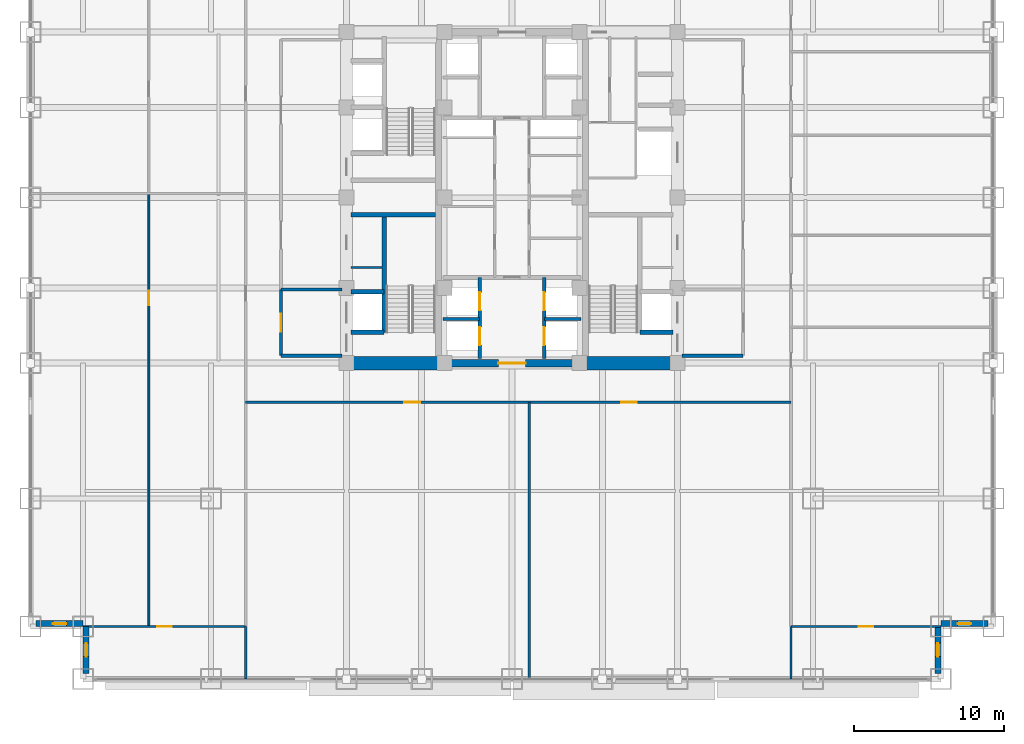
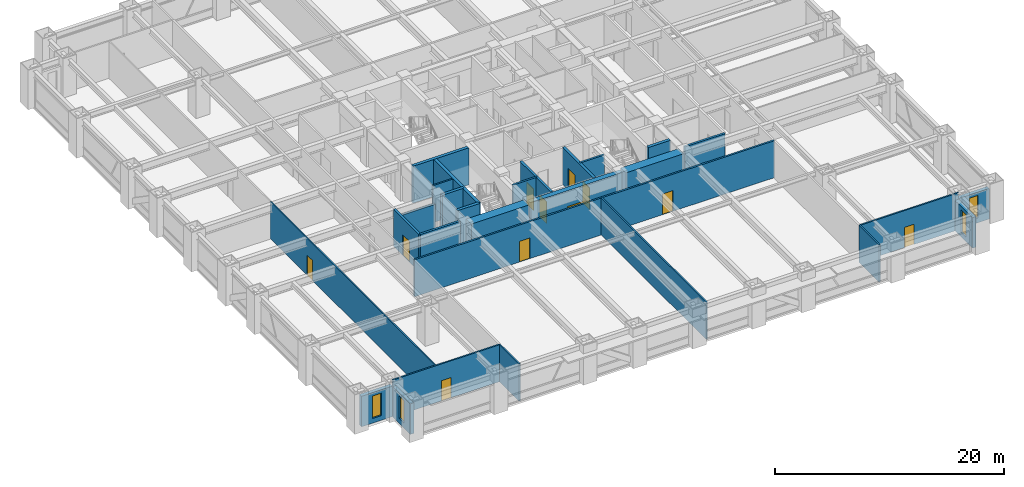
# One storey, part 23 of 32: 28 walls, 11 doors, 4 windows, 15 openings.
"""IFC4 building model written with IfcOpenShell, lengths in metres."""

from ifc_helpers import new_model, si_unit, direction, frame, frame_2d, origin, place, context, subcontext, project, spatial, rectangle, extrude, source, transform, mapped, material, layer, layer_set, type_object, element, fill, save


model = new_model("IFC4")

# Units and contexts
model_context = context("Model", 3, precision=1e-05, world=origin(), true_north=direction((0.0, 1.0)))
body_context = subcontext(model_context, "Body", "Model", "MODEL_VIEW")
ifc_project = project(units=[si_unit("LENGTHUNIT", "METRE"), si_unit("AREAUNIT", "SQUARE_METRE"), si_unit("VOLUMEUNIT", "CUBIC_METRE"), si_unit("PLANEANGLEUNIT", "RADIAN"), si_unit("MASSUNIT", "GRAM", prefix="KILO")], contexts=[model_context])

# Site, building, storey
site_placement = place(None, origin())
site = spatial("IfcSite", under=ifc_project, at=site_placement, CompositionType="ELEMENT")
building_placement = place(site_placement, origin())
building = spatial("IfcBuilding", under=site, at=building_placement, Name="Khorayat Bourse Tower", CompositionType="ELEMENT")
storey_placement = place(building_placement, frame((0.0, 0.0, 78.800048828125)))
storey = spatial("IfcBuildingStorey", under=building, at=storey_placement, Name="L17", CompositionType="ELEMENT", Elevation=78.800048828125)

# Walls
ifc_material_1 = material(Name="Concrete C72/90", Category="concrete")
ifc_layer_1 = layer(ifc_material_1, 0.89990234375)
ifc_layer_set_1 = layer_set([ifc_layer_1], Name="Concrete C72/90")
wall_type_1 = type_object("IfcWallType", Name="WAL-CORE-900", PredefinedType="SHEAR", material=ifc_layer_set_1)
shared_shape_1 = source(origin(), body_context, "Body", "SweptSolid", [
    extrude(rectangle(XDim=5.849853515625, YDim=0.89990234375, at=frame_2d((2.9248046875, 0.0))), origin(), (0.0, 0.0, 1.0), 3.93994140625),
])
for number, where, z_axis, x_axis, name in (
    (1, (-10.699951171875, -11.0, 0.0), (0.0, 0.0, 1.0), (1.0, 0.0, 0.0), "L17 Core Shear Wall PIER-WS"),
    (2, (4.85009765625, -11.0, 0.0), (0.0, 0.0, 1.0), (1.0, 0.0, 0.0), "L17 Core Shear Wall PIER-ES"),
):
    element("IfcWall", number, at=place(storey_placement, frame(where, z_axis=z_axis, x_axis=x_axis)), inside=storey, type_object=wall_type_1, Name=name, PredefinedType="SHEAR", context=body_context, shape_type="MappedRepresentation", body=[
        mapped(shared_shape_1, transform((0.0, 0.0, 0.0), scale=1.0)),
    ])
ifc_material_2 = material(Name="Concrete C50/60", Category="concrete")
ifc_layer_2 = layer(ifc_material_2, 0.300048828125)
ifc_layer_set_2 = layer_set([ifc_layer_2], Name="Concrete C50/60")
wall_type_2 = type_object("IfcWallType", Name="WAL-SHAFT-300", PredefinedType="SHEAR", material=ifc_layer_set_2)
shared_shape_2 = source(origin(), body_context, "Body", "SweptSolid", [
    extrude(rectangle(XDim=5.599853515625, YDim=0.300048828125, at=frame_2d((2.7998046875, 0.0))), origin(), (0.0, 0.0, 1.0), 3.93994140625),
])
wall_1_placement = place(storey_placement, frame((-10.699951171875, -1.14990234375, 0.0), z_axis=(0.0, 0.0, 1.0), x_axis=(1.0, 0.0, 0.0)))
element("IfcWall", 3, at=wall_1_placement, inside=storey, type_object=wall_type_2, Name="L17 Core Shear Wall ST1-DIV", PredefinedType="SHEAR", context=body_context, shape_type="MappedRepresentation", body=[
    mapped(shared_shape_2, transform((0.0, 0.0, 0.0), scale=1.0)),
])

# Wall, opening, door
ifc_material_3 = material(Name="Concrete C52/65", Category="concrete")
ifc_layer_3 = layer(ifc_material_3, 0.5)
ifc_layer_set_3 = layer_set([ifc_layer_3], Name="Concrete C52/65")
wall_type_3 = type_object("IfcWallType", Name="WAL-CORE-500", PredefinedType="SHEAR", material=ifc_layer_set_3)
shared_shape_3 = source(origin(), body_context, "Body", "SweptSolid", [
    extrude(rectangle(XDim=9.2001953125, YDim=0.5, at=frame_2d((4.60009765625, 0.0))), origin(), (0.0, 0.0, 1.0), 3.93994140625),
])
wall_2_placement = place(storey_placement, frame((-4.60009765625, -11.0, 0.0), z_axis=(0.0, 0.0, 1.0), x_axis=(1.0, 0.0, 0.0)))
wall_2 = element("IfcWall", 4, at=wall_2_placement, inside=storey, type_object=wall_type_3, Name="L17 Core Shear Wall CORE-S", PredefinedType="SHEAR", context=body_context, shape_type="MappedRepresentation", body=[
    mapped(shared_shape_3, transform((0.0, 0.0, 0.0), scale=1.0)),
])
shared_shape_4 = source(origin(), body_context, "Body", "SweptSolid", [
    extrude(rectangle(XDim=1.800048828125, YDim=2.25, at=frame_2d((0.89990234375, 1.125))), frame((0.0, 0.260009765625, 0.0), z_axis=(0.0, -1.0, 0.0), x_axis=(1.0, 0.0, 0.0)), (0.0, 0.0, 1.0), 0.52001953125),
])
opening_1_placement = place(wall_2_placement, frame((3.699951171875, 0.0, 0.0)))
opening_1 = element("IfcOpeningElement", 5, at=opening_1_placement, cuts=wall_2, Name="Opening DI-03", PredefinedType="OPENING", context=body_context, shape_type="MappedRepresentation", body=[
    mapped(shared_shape_4, transform((0.0, 0.0, 0.0), scale=1.0)),
])
ifc_material_4 = material(Name="Fire-rated hardwood vision-panel double leaf", Category="wood")
door_type_1 = type_object("IfcDoorType", Name="DR-INT-CORR-1800", OperationType="NOTDEFINED", PredefinedType="DOOR", material=ifc_material_4)
shared_shape_5 = source(origin(), body_context, "Body", "SweptSolid", [
    extrude(rectangle(XDim=1.800048828125, YDim=2.25, at=frame_2d((0.89990234375, 1.125))), frame((0.0, 0.02490234375, 0.0), z_axis=(0.0, -1.0, 0.0), x_axis=(1.0, 0.0, 0.0)), (0.0, 0.0, 1.0), 0.050048828125),
])
door_1_placement = place(opening_1_placement, origin())
door_1 = element("IfcDoor", 6, at=door_1_placement, inside=storey, type_object=door_type_1, Name="L17 Low-Rise Lift Lobby Door", OperationType="SINGLE_SWING_LEFT", OverallHeight=2.25, OverallWidth=1.800048828125, PredefinedType="DOOR", context=body_context, shape_type="MappedRepresentation", body=[
    mapped(shared_shape_5, transform((0.0, 0.0, 0.0), scale=1.0)),
])
fill(opening_1, door_1)

# Wall, opening, window
ifc_material_5 = material(Name="Precast concrete C45/55", Category="concrete")
ifc_layer_4 = layer(ifc_material_5, 0.3798828125)
ifc_layer_set_4 = layer_set([ifc_layer_4], Name="Precast concrete C45/55")
wall_type_4 = type_object("IfcWallType", Name="WAL-EXT-STONE-380", PredefinedType="STANDARD", material=ifc_layer_set_4)
shared_shape_6 = source(origin(), body_context, "Body", "SweptSolid", [
    extrude(rectangle(XDim=3.1201171875, YDim=0.3798828125, at=frame_2d((1.56005859375, 0.0))), origin(), (0.0, 0.0, 1.0), 3.244873046875),
])
wall_3_placement = place(storey_placement, frame((-28.5, -28.31005859375, 0.0), z_axis=(0.0, 0.0, 1.0), x_axis=(-1.0, 0.0, 0.0)))
wall_3 = element("IfcWall", 7, at=wall_3_placement, inside=storey, type_object=wall_type_4, Name="L17 Re-Entrant Notch Limestone Wall SW-H", PredefinedType="STANDARD", context=body_context, shape_type="MappedRepresentation", body=[
    mapped(shared_shape_6, transform((0.0, 0.0, 0.0), scale=1.0)),
])
shared_shape_7 = source(origin(), body_context, "Body", "SweptSolid", [
    extrude(rectangle(XDim=0.89990234375, YDim=2.39990234375, at=frame_2d((0.449951171875, 1.199951171875))), frame((0.0, 0.199951171875, 0.0), z_axis=(0.0, -1.0, 0.0), x_axis=(1.0, 0.0, 0.0)), (0.0, 0.0, 1.0), 0.39990234375),
])
opening_2_placement = place(wall_3_placement, frame((1.110107421875, 0.0, 0.5)))
opening_2 = element("IfcOpeningElement", 8, at=opening_2_placement, cuts=wall_3, Name="Opening WN-03", PredefinedType="OPENING", context=body_context, shape_type="MappedRepresentation", body=[
    mapped(shared_shape_7, transform((0.0, 0.0, 0.0), scale=1.0)),
])
ifc_material_6 = material(Name="Deep-reveal solar-control double glazing", Category="glass")
window_type = type_object("IfcWindowType", Name="WIN-SLOT-900x2400", PartitioningType="SINGLE_PANEL", PredefinedType="WINDOW", material=ifc_material_6)
shared_shape_8 = source(origin(), body_context, "Body", "SweptSolid", [
    extrude(rectangle(XDim=0.89990234375, YDim=2.39990234375, at=frame_2d((0.449951171875, 1.199951171875))), frame((0.0, 0.030029296875, 0.0), z_axis=(0.0, -1.0, 0.0), x_axis=(1.0, 0.0, 0.0)), (0.0, 0.0, 1.0), 0.06005859375),
])
window_1_placement = place(opening_2_placement, origin())
window_1 = element("IfcWindow", 9, at=window_1_placement, inside=storey, type_object=window_type, Name="L17 Facade Window 1", OverallHeight=2.39990234375, OverallWidth=0.89990234375, PartitioningType="SINGLE_PANEL", PredefinedType="WINDOW", context=body_context, shape_type="MappedRepresentation", body=[
    mapped(shared_shape_8, transform((0.0, 0.0, 0.0), scale=1.0)),
])
fill(opening_2, window_1)

wall_4_placement = place(storey_placement, frame((-28.31005859375, -31.6201171875, 0.0), z_axis=(0.0, 0.0, 1.0), x_axis=(0.0, 1.0, 0.0)))
wall_4 = element("IfcWall", 10, at=wall_4_placement, inside=storey, type_object=wall_type_4, Name="L17 Re-Entrant Notch Limestone Wall SW-V", PredefinedType="STANDARD", context=body_context, shape_type="MappedRepresentation", body=[
    mapped(shared_shape_6, transform((0.0, 0.0, 0.0), scale=1.0)),
])
opening_3_placement = place(wall_4_placement, frame((1.110107421875, 0.0, 0.5)))
opening_3 = element("IfcOpeningElement", 11, at=opening_3_placement, cuts=wall_4, Name="Opening WN-03", PredefinedType="OPENING", context=body_context, shape_type="MappedRepresentation", body=[
    mapped(shared_shape_7, transform((0.0, 0.0, 0.0), scale=1.0)),
])
window_2_placement = place(opening_3_placement, origin())
window_2 = element("IfcWindow", 12, at=window_2_placement, inside=storey, type_object=window_type, Name="L17 Facade Window 1", OverallHeight=2.39990234375, OverallWidth=0.89990234375, PartitioningType="SINGLE_PANEL", PredefinedType="WINDOW", context=body_context, shape_type="MappedRepresentation", body=[
    mapped(shared_shape_8, transform((0.0, 0.0, 0.0), scale=1.0)),
])
fill(opening_3, window_2)

wall_5_placement = place(storey_placement, frame((28.31005859375, -31.6201171875, 0.0), z_axis=(0.0, 0.0, 1.0), x_axis=(0.0, 1.0, 0.0)))
wall_5 = element("IfcWall", 13, at=wall_5_placement, inside=storey, type_object=wall_type_4, Name="L17 Re-Entrant Notch Limestone Wall SE-V", PredefinedType="STANDARD", context=body_context, shape_type="MappedRepresentation", body=[
    mapped(shared_shape_6, transform((0.0, 0.0, 0.0), scale=1.0)),
])
opening_4_placement = place(wall_5_placement, frame((1.110107421875, 0.0, 0.5)))
opening_4 = element("IfcOpeningElement", 14, at=opening_4_placement, cuts=wall_5, Name="Opening WN-03", PredefinedType="OPENING", context=body_context, shape_type="MappedRepresentation", body=[
    mapped(shared_shape_7, transform((0.0, 0.0, 0.0), scale=1.0)),
])
window_3_placement = place(opening_4_placement, origin())
window_3 = element("IfcWindow", 15, at=window_3_placement, inside=storey, type_object=window_type, Name="L17 Facade Window 1", OverallHeight=2.39990234375, OverallWidth=0.89990234375, PartitioningType="SINGLE_PANEL", PredefinedType="WINDOW", context=body_context, shape_type="MappedRepresentation", body=[
    mapped(shared_shape_8, transform((0.0, 0.0, 0.0), scale=1.0)),
])
fill(opening_4, window_3)

wall_6_placement = place(storey_placement, frame((28.5, -28.31005859375, 0.0), z_axis=(0.0, 0.0, 1.0), x_axis=(1.0, 0.0, 0.0)))
wall_6 = element("IfcWall", 16, at=wall_6_placement, inside=storey, type_object=wall_type_4, Name="L17 Re-Entrant Notch Limestone Wall SE-H", PredefinedType="STANDARD", context=body_context, shape_type="MappedRepresentation", body=[
    mapped(shared_shape_6, transform((0.0, 0.0, 0.0), scale=1.0)),
])
opening_5_placement = place(wall_6_placement, frame((1.110107421875, 0.0, 0.5)))
opening_5 = element("IfcOpeningElement", 17, at=opening_5_placement, cuts=wall_6, Name="Opening WN-03", PredefinedType="OPENING", context=body_context, shape_type="MappedRepresentation", body=[
    mapped(shared_shape_7, transform((0.0, 0.0, 0.0), scale=1.0)),
])
window_4_placement = place(opening_5_placement, origin())
window_4 = element("IfcWindow", 18, at=window_4_placement, inside=storey, type_object=window_type, Name="L17 Facade Window 1", OverallHeight=2.39990234375, OverallWidth=0.89990234375, PartitioningType="SINGLE_PANEL", PredefinedType="WINDOW", context=body_context, shape_type="MappedRepresentation", body=[
    mapped(shared_shape_8, transform((0.0, 0.0, 0.0), scale=1.0)),
])
fill(opening_5, window_4)

# Walls
shared_shape_9 = source(origin(), body_context, "Body", "SweptSolid", [
    extrude(rectangle(XDim=7.800048828125, YDim=0.300048828125, at=frame_2d((3.89990234375, 0.0))), origin(), (0.0, 0.0, 1.0), 3.93994140625),
])
wall_7_placement = place(storey_placement, frame((-8.5, -8.949951171875, 0.0), z_axis=(0.0, 0.0, 1.0), x_axis=(0.0, 1.0, 0.0)))
element("IfcWall", 19, at=wall_7_placement, inside=storey, type_object=wall_type_2, Name="L17 Partition WAL-L17-WPIER-SP", PredefinedType="SHEAR", context=body_context, shape_type="MappedRepresentation", body=[
    mapped(shared_shape_9, transform((0.0, 0.0, 0.0), scale=1.0)),
])
shared_shape_10 = source(origin(), body_context, "Body", "SweptSolid", [
    extrude(rectangle(XDim=2.199951171875, YDim=0.300048828125, at=frame_2d((1.10009765625, 0.0))), origin(), (0.0, 0.0, 1.0), 3.93994140625),
])
for number, where, z_axis, x_axis, name in (
    (20, (-10.699951171875, -8.949951171875, 0.0), (0.0, 0.0, 1.0), (1.0, 0.0, 0.0), "L17 Partition WAL-L17-WPIER-FF1S"),
    (21, (-10.699951171875, -6.25, 0.0), (0.0, 0.0, 1.0), (1.0, 0.0, 0.0), "L17 Partition WAL-L17-WPIER-FF1N"),
    (22, (8.5, -8.949951171875, 0.0), (0.0, 0.0, 1.0), (1.0, 0.0, 0.0), "L17 Partition WAL-L17-EPIER-FF2S"),
):
    element("IfcWall", number, at=place(storey_placement, frame(where, z_axis=z_axis, x_axis=x_axis)), inside=storey, type_object=wall_type_2, Name=name, PredefinedType="SHEAR", context=body_context, shape_type="MappedRepresentation", body=[
        mapped(shared_shape_10, transform((0.0, 0.0, 0.0), scale=1.0)),
    ])
ifc_material_7 = material(Name="Gypsum plasterboard twin-frame partition")
ifc_layer_5 = layer(ifc_material_7, 0.14990234375)
ifc_layer_set_5 = layer_set([ifc_layer_5], Name="Gypsum plasterboard twin-frame partition")
wall_type_5 = type_object("IfcWallType", Name="WAL-PART-SUITE-150", PredefinedType="PARTITIONING", material=ifc_layer_set_5)
shared_shape_11 = source(origin(), body_context, "Body", "SweptSolid", [
    extrude(rectangle(XDim=2.050048828125, YDim=0.14990234375, at=frame_2d((1.02490234375, 0.0))), origin(), (0.0, 0.0, 1.0), 3.93994140625),
])
wall_8_placement = place(storey_placement, frame((-10.699951171875, -4.64990234375, 0.0), z_axis=(0.0, 0.0, 1.0), x_axis=(1.0, 0.0, 0.0)))
element("IfcWall", 23, at=wall_8_placement, inside=storey, type_object=wall_type_5, Name="L17 Partition WAL-L17-WSRV-S0", PredefinedType="PARTITIONING", context=body_context, shape_type="MappedRepresentation", body=[
    mapped(shared_shape_11, transform((0.0, 0.0, 0.0), scale=1.0)),
])
ifc_material_8 = material(Name="Aerated concrete blockwork", Category="masonry")
ifc_layer_6 = layer(ifc_material_8, 0.219970703125)
ifc_layer_set_6 = layer_set([ifc_layer_6], Name="Aerated concrete blockwork")
wall_type_6 = type_object("IfcWallType", Name="WAL-PART-FF-220", PredefinedType="PARTITIONING", material=ifc_layer_set_6)
shared_shape_12 = source(origin(), body_context, "Body", "SweptSolid", [
    extrude(rectangle(XDim=4.050048828125, YDim=0.219970703125, at=frame_2d((2.02490234375, 0.0))), origin(), (0.0, 0.0, 1.0), 3.93994140625),
])
for number, where, z_axis, x_axis, name in (
    (24, (-15.35009765625, -10.5, 0.0), (0.0, 0.0, 1.0), (1.0, 0.0, 0.0), "L17 Partition WAL-L17-FFLW-S"),
    (25, (11.300048828125, -10.5, 0.0), (0.0, 0.0, 1.0), (1.0, 0.0, 0.0), "L17 Partition WAL-L17-FFLE-S"),
):
    element("IfcWall", number, at=place(storey_placement, frame(where, z_axis=z_axis, x_axis=x_axis)), inside=storey, type_object=wall_type_6, Name=name, PredefinedType="PARTITIONING", context=body_context, shape_type="MappedRepresentation", body=[
        mapped(shared_shape_12, transform((0.0, 0.0, 0.0), scale=1.0)),
    ])
shared_shape_13 = source(origin(), body_context, "Body", "SweptSolid", [
    extrude(rectangle(XDim=4.050048828125, YDim=0.219970703125, at=frame_2d((2.02490234375, 0.0))), origin(), (0.0, 0.0, 1.0), 3.0849609375),
])
wall_9_placement = place(storey_placement, frame((-15.35009765625, -6.10009765625, 0.0), z_axis=(0.0, 0.0, 1.0), x_axis=(1.0, 0.0, 0.0)))
element("IfcWall", 26, at=wall_9_placement, inside=storey, type_object=wall_type_6, Name="L17 Partition WAL-L17-FFLW-N", PredefinedType="PARTITIONING", context=body_context, shape_type="MappedRepresentation", body=[
    mapped(shared_shape_13, transform((0.0, 0.0, 0.0), scale=1.0)),
])

# Wall, opening, door
shared_shape_14 = source(origin(), body_context, "Body", "SweptSolid", [
    extrude(rectangle(XDim=4.39990234375, YDim=0.219970703125, at=frame_2d((2.199951171875, 0.0))), origin(), (0.0, 0.0, 1.0), 3.93994140625),
])
wall_10_placement = place(storey_placement, frame((-15.35009765625, -10.5, 0.0), z_axis=(0.0, 0.0, 1.0), x_axis=(0.0, 1.0, 0.0)))
wall_10 = element("IfcWall", 27, at=wall_10_placement, inside=storey, type_object=wall_type_6, Name="L17 Partition WAL-L17-FFLW-W", PredefinedType="PARTITIONING", context=body_context, shape_type="MappedRepresentation", body=[
    mapped(shared_shape_14, transform((0.0, 0.0, 0.0), scale=1.0)),
])
shared_shape_15 = source(origin(), body_context, "Body", "SweptSolid", [
    extrude(rectangle(XDim=1.199951171875, YDim=2.199951171875, at=frame_2d((0.60009765625, 1.10009765625))), frame((0.0, 0.119873046875, 0.0), z_axis=(0.0, -1.0, 0.0), x_axis=(1.0, 0.0, 0.0)), (0.0, 0.0, 1.0), 0.239990234375),
])
opening_6_placement = place(wall_10_placement, frame((1.60009765625, 0.0, 0.0)))
opening_6 = element("IfcOpeningElement", 28, at=opening_6_placement, cuts=wall_10, Name="Opening DI-02", PredefinedType="OPENING", context=body_context, shape_type="MappedRepresentation", body=[
    mapped(shared_shape_15, transform((0.0, 0.0, 0.0), scale=1.0)),
])
ifc_material_9 = material(Name="Fire-rated steel double-seal leaf", Category="steel")
door_type_2 = type_object("IfcDoorType", Name="DR-INT-FFLOBBY-1200", OperationType="NOTDEFINED", PredefinedType="DOOR", material=ifc_material_9)
shared_shape_16 = source(origin(), body_context, "Body", "SweptSolid", [
    extrude(rectangle(XDim=1.199951171875, YDim=2.199951171875, at=frame_2d((0.60009765625, 1.10009765625))), frame((0.0, 0.02490234375, 0.0), z_axis=(0.0, -1.0, 0.0), x_axis=(1.0, 0.0, 0.0)), (0.0, 0.0, 1.0), 0.050048828125),
])
door_2_placement = place(opening_6_placement, origin())
door_2 = element("IfcDoor", 29, at=door_2_placement, inside=storey, type_object=door_type_2, Name="L17 West Firefighting Lobby Door", OperationType="SINGLE_SWING_LEFT", OverallHeight=2.199951171875, OverallWidth=1.199951171875, PredefinedType="DOOR", context=body_context, shape_type="MappedRepresentation", body=[
    mapped(shared_shape_16, transform((0.0, 0.0, 0.0), scale=1.0)),
])
fill(opening_6, door_2)

# Wall, openings, doors
shared_shape_17 = source(origin(), body_context, "Body", "SweptSolid", [
    extrude(rectangle(XDim=5.39990234375, YDim=0.25, at=frame_2d((2.699951171875, 0.0))), origin(), (0.0, 0.0, 1.0), 3.93994140625),
])
wall_11_placement = place(storey_placement, frame((-2.14990234375, -10.699951171875, 0.0), z_axis=(0.0, 0.0, 1.0), x_axis=(0.0, 1.0, 0.0)))
wall_11 = element("IfcWall", 30, at=wall_11_placement, inside=storey, type_object=wall_type_2, Name="L17 Partition WAL-L17-B1-W", PredefinedType="SHEAR", context=body_context, shape_type="MappedRepresentation", body=[
    mapped(shared_shape_17, transform((0.0, 0.0, 0.0), scale=1.0)),
])
shared_shape_18 = source(origin(), body_context, "Body", "SweptSolid", [
    extrude(rectangle(XDim=1.199951171875, YDim=2.300048828125, at=frame_2d((0.60009765625, 1.14990234375))), frame((0.0, 0.135009765625, 0.0), z_axis=(0.0, -1.0, 0.0), x_axis=(1.0, 0.0, 0.0)), (0.0, 0.0, 1.0), 0.27001953125),
])
opening_7_placement = place(wall_11_placement, frame((0.89990234375, 0.0, 0.0)))
opening_7 = element("IfcOpeningElement", 31, at=opening_7_placement, cuts=wall_11, Name="Opening LD-01", PredefinedType="OPENING", context=body_context, shape_type="MappedRepresentation", body=[
    mapped(shared_shape_18, transform((0.0, 0.0, 0.0), scale=1.0)),
])
opening_8_placement = place(wall_11_placement, frame((3.199951171875, 0.0, 0.0)))
opening_8 = element("IfcOpeningElement", 32, at=opening_8_placement, cuts=wall_11, Name="Opening LD-01", PredefinedType="OPENING", context=body_context, shape_type="MappedRepresentation", body=[
    mapped(shared_shape_18, transform((0.0, 0.0, 0.0), scale=1.0)),
])
ifc_material_10 = material(Name="Brushed bronze stainless-steel sliding door", Category="steel")
door_type_3 = type_object("IfcDoorType", Name="DR-LIFT-PASS-1200", OperationType="NOTDEFINED", PredefinedType="DOOR", material=ifc_material_10)
shared_shape_19 = source(origin(), body_context, "Body", "SweptSolid", [
    extrude(rectangle(XDim=1.199951171875, YDim=2.300048828125, at=frame_2d((0.60009765625, 1.14990234375))), frame((0.0, 0.02490234375, 0.0), z_axis=(0.0, -1.0, 0.0), x_axis=(1.0, 0.0, 0.0)), (0.0, 0.0, 1.0), 0.050048828125),
])
door_3_placement = place(opening_7_placement, origin())
door_3 = element("IfcDoor", 33, at=door_3_placement, inside=storey, type_object=door_type_3, Name="L17 Lift PL-L1 Sliding Landing Door", OperationType="SLIDING_TO_LEFT", OverallHeight=2.300048828125, OverallWidth=1.199951171875, PredefinedType="DOOR", context=body_context, shape_type="MappedRepresentation", body=[
    mapped(shared_shape_19, transform((0.0, 0.0, 0.0), scale=1.0)),
])
fill(opening_7, door_3)
door_4_placement = place(opening_8_placement, origin())
door_4 = element("IfcDoor", 34, at=door_4_placement, inside=storey, type_object=door_type_3, Name="L17 Lift PL-L3 Sliding Landing Door", OperationType="SLIDING_TO_LEFT", OverallHeight=2.300048828125, OverallWidth=1.199951171875, PredefinedType="DOOR", context=body_context, shape_type="MappedRepresentation", body=[
    mapped(shared_shape_19, transform((0.0, 0.0, 0.0), scale=1.0)),
])
fill(opening_8, door_4)

wall_12_placement = place(storey_placement, frame((2.14990234375, -10.699951171875, 0.0), z_axis=(0.0, 0.0, 1.0), x_axis=(0.0, 1.0, 0.0)))
wall_12 = element("IfcWall", 35, at=wall_12_placement, inside=storey, type_object=wall_type_2, Name="L17 Partition WAL-L17-B1-E", PredefinedType="SHEAR", context=body_context, shape_type="MappedRepresentation", body=[
    mapped(shared_shape_17, transform((0.0, 0.0, 0.0), scale=1.0)),
])
opening_9_placement = place(wall_12_placement, frame((0.89990234375, 0.0, 0.0)))
opening_9 = element("IfcOpeningElement", 36, at=opening_9_placement, cuts=wall_12, Name="Opening LD-01", PredefinedType="OPENING", context=body_context, shape_type="MappedRepresentation", body=[
    mapped(shared_shape_18, transform((0.0, 0.0, 0.0), scale=1.0)),
])
opening_10_placement = place(wall_12_placement, frame((3.199951171875, 0.0, 0.0)))
opening_10 = element("IfcOpeningElement", 37, at=opening_10_placement, cuts=wall_12, Name="Opening LD-01", PredefinedType="OPENING", context=body_context, shape_type="MappedRepresentation", body=[
    mapped(shared_shape_18, transform((0.0, 0.0, 0.0), scale=1.0)),
])
door_5_placement = place(opening_9_placement, origin())
door_5 = element("IfcDoor", 38, at=door_5_placement, inside=storey, type_object=door_type_3, Name="L17 Lift PL-L2 Sliding Landing Door", OperationType="SLIDING_TO_LEFT", OverallHeight=2.300048828125, OverallWidth=1.199951171875, PredefinedType="DOOR", context=body_context, shape_type="MappedRepresentation", body=[
    mapped(shared_shape_19, transform((0.0, 0.0, 0.0), scale=1.0)),
])
fill(opening_9, door_5)
door_6_placement = place(opening_10_placement, origin())
door_6 = element("IfcDoor", 39, at=door_6_placement, inside=storey, type_object=door_type_3, Name="L17 Lift PL-L4 Sliding Landing Door", OperationType="SLIDING_TO_LEFT", OverallHeight=2.300048828125, OverallWidth=1.199951171875, PredefinedType="DOOR", context=body_context, shape_type="MappedRepresentation", body=[
    mapped(shared_shape_19, transform((0.0, 0.0, 0.0), scale=1.0)),
])
fill(opening_10, door_6)

# Walls
shared_shape_20 = source(origin(), body_context, "Body", "SweptSolid", [
    extrude(rectangle(XDim=2.4501953125, YDim=0.199951171875, at=frame_2d((1.22509765625, 0.0))), origin(), (0.0, 0.0, 1.0), 3.93994140625),
])
for number, where, z_axis, x_axis, name in (
    (40, (-4.60009765625, -8.050048828125, 0.0), (0.0, 0.0, 1.0), (1.0, 0.0, 0.0), "L17 Partition WAL-L17-B1-MW"),
    (41, (2.14990234375, -8.050048828125, 0.0), (0.0, 0.0, 1.0), (1.0, 0.0, 0.0), "L17 Partition WAL-L17-B1-ME"),
):
    element("IfcWall", number, at=place(storey_placement, frame(where, z_axis=z_axis, x_axis=x_axis)), inside=storey, type_object=wall_type_2, Name=name, PredefinedType="SHEAR", context=body_context, shape_type="MappedRepresentation", body=[
        mapped(shared_shape_20, transform((0.0, 0.0, 0.0), scale=1.0)),
    ])

# Wall, openings, doors
ifc_material_11 = material(Name="Gypsum plasterboard acoustic stud wall")
ifc_layer_7 = layer(ifc_material_11, 0.179931640625)
ifc_layer_set_7 = layer_set([ifc_layer_7], Name="Gypsum plasterboard acoustic stud wall")
wall_type_7 = type_object("IfcWallType", Name="WAL-PART-CORR-180", PredefinedType="PARTITIONING", material=ifc_layer_set_7)
shared_shape_21 = source(origin(), body_context, "Body", "SweptSolid", [
    extrude(rectangle(XDim=36.25, YDim=0.179931640625, at=frame_2d((18.125, 0.0))), origin(), (0.0, 0.0, 1.0), 3.93994140625),
])
wall_13_placement = place(storey_placement, frame((-17.699951171875, -13.60009765625, 0.0), z_axis=(0.0, 0.0, 1.0), x_axis=(1.0, 0.0, 0.0)))
wall_13 = element("IfcWall", 42, at=wall_13_placement, inside=storey, type_object=wall_type_7, Name="L17 Partition WAL-L17-SCORR", PredefinedType="PARTITIONING", context=body_context, shape_type="MappedRepresentation", body=[
    mapped(shared_shape_21, transform((0.0, 0.0, 0.0), scale=1.0)),
])
shared_shape_22 = source(origin(), body_context, "Body", "SweptSolid", [
    extrude(rectangle(XDim=1.050048828125, YDim=2.199951171875, at=frame_2d((0.52490234375, 1.10009765625))), frame((0.0, 0.099853515625, 0.0), z_axis=(0.0, -1.0, 0.0), x_axis=(1.0, 0.0, 0.0)), (0.0, 0.0, 1.0), 0.199951171875),
])
opening_11_placement = place(wall_13_placement, frame((10.550048828125, 0.0, 0.0)))
opening_11 = element("IfcOpeningElement", 43, at=opening_11_placement, cuts=wall_13, Name="Opening DI-04", PredefinedType="OPENING", context=body_context, shape_type="MappedRepresentation", body=[
    mapped(shared_shape_22, transform((0.0, 0.0, 0.0), scale=1.0)),
])
opening_12_placement = place(wall_13_placement, frame((24.949951171875, 0.0, 0.0)))
opening_12 = element("IfcOpeningElement", 44, at=opening_12_placement, cuts=wall_13, Name="Opening DI-04", PredefinedType="OPENING", context=body_context, shape_type="MappedRepresentation", body=[
    mapped(shared_shape_22, transform((0.0, 0.0, 0.0), scale=1.0)),
])
ifc_material_12 = material(Name="Fire-rated oak veneer suite entrance door")
door_type_4 = type_object("IfcDoorType", Name="DR-INT-SUITE-1050", OperationType="NOTDEFINED", PredefinedType="DOOR", material=ifc_material_12)
shared_shape_23 = source(origin(), body_context, "Body", "SweptSolid", [
    extrude(rectangle(XDim=1.050048828125, YDim=2.199951171875, at=frame_2d((0.52490234375, 1.10009765625))), frame((0.0, 0.02490234375, 0.0), z_axis=(0.0, -1.0, 0.0), x_axis=(1.0, 0.0, 0.0)), (0.0, 0.0, 1.0), 0.050048828125),
])
door_7_placement = place(opening_11_placement, origin())
door_7 = element("IfcDoor", 45, at=door_7_placement, inside=storey, type_object=door_type_4, Name="L17 Issuer Listing Showroom S1 Door", OperationType="SINGLE_SWING_RIGHT", OverallHeight=2.199951171875, OverallWidth=1.050048828125, PredefinedType="DOOR", context=body_context, shape_type="MappedRepresentation", body=[
    mapped(shared_shape_23, transform((0.0, 0.0, 0.0), scale=1.0)),
])
fill(opening_11, door_7)
door_8_placement = place(opening_12_placement, origin())
door_8 = element("IfcDoor", 46, at=door_8_placement, inside=storey, type_object=door_type_4, Name="L17 Brokerage Member Kiosk S2 Door", OperationType="SINGLE_SWING_LEFT", OverallHeight=2.199951171875, OverallWidth=1.050048828125, PredefinedType="DOOR", context=body_context, shape_type="MappedRepresentation", body=[
    mapped(shared_shape_23, transform((0.0, 0.0, 0.0), scale=1.0)),
])
fill(opening_12, door_8)

# Walls
shared_shape_24 = source(origin(), body_context, "Body", "SweptSolid", [
    extrude(rectangle(XDim=18.39990234375, YDim=0.14990234375, at=frame_2d((9.199951171875, 0.0))), origin(), (0.0, 0.0, 1.0), 3.93994140625),
])
wall_14_placement = place(storey_placement, frame((1.14990234375, -32.0, 0.0), z_axis=(0.0, 0.0, 1.0), x_axis=(0.0, 1.0, 0.0)))
element("IfcWall", 47, at=wall_14_placement, inside=storey, type_object=wall_type_5, Name="L17 Partition WAL-L17-SDV-1", PredefinedType="PARTITIONING", context=body_context, shape_type="MappedRepresentation", body=[
    mapped(shared_shape_24, transform((0.0, 0.0, 0.0), scale=1.0)),
])
shared_shape_25 = source(origin(), body_context, "Body", "SweptSolid", [
    extrude(rectangle(XDim=3.5, YDim=0.14990234375, at=frame_2d((1.75, 0.0))), origin(), (0.0, 0.0, 1.0), 3.93994140625),
])
for number, where, z_axis, x_axis, name in (
    (48, (-17.699951171875, -32.0, 0.0), (0.0, 0.0, 1.0), (0.0, 1.0, 0.0), "L17 Partition WAL-L17-SCW-END"),
    (49, (18.550048828125, -32.0, 0.0), (0.0, 0.0, 1.0), (0.0, 1.0, 0.0), "L17 Partition WAL-L17-SCE-END"),
):
    element("IfcWall", number, at=place(storey_placement, frame(where, z_axis=z_axis, x_axis=x_axis)), inside=storey, type_object=wall_type_5, Name=name, PredefinedType="PARTITIONING", context=body_context, shape_type="MappedRepresentation", body=[
        mapped(shared_shape_25, transform((0.0, 0.0, 0.0), scale=1.0)),
    ])

# Wall, opening, door
shared_shape_26 = source(origin(), body_context, "Body", "SweptSolid", [
    extrude(rectangle(XDim=10.800048828125, YDim=0.14990234375, at=frame_2d((5.39990234375, 0.0))), origin(), (0.0, 0.0, 1.0), 3.93994140625),
])
wall_15_placement = place(storey_placement, frame((-28.5, -28.5, 0.0), z_axis=(0.0, 0.0, 1.0), x_axis=(1.0, 0.0, 0.0)))
wall_15 = element("IfcWall", 50, at=wall_15_placement, inside=storey, type_object=wall_type_5, Name="L17 Partition WAL-L17-CSW", PredefinedType="PARTITIONING", context=body_context, shape_type="MappedRepresentation", body=[
    mapped(shared_shape_26, transform((0.0, 0.0, 0.0), scale=1.0)),
])
shared_shape_27 = source(origin(), body_context, "Body", "SweptSolid", [
    extrude(rectangle(XDim=0.949951171875, YDim=2.14990234375, at=frame_2d((0.47509765625, 1.074951171875))), frame((0.0, 0.0849609375, 0.0), z_axis=(0.0, -1.0, 0.0), x_axis=(1.0, 0.0, 0.0)), (0.0, 0.0, 1.0), 0.169921875),
])
opening_13_placement = place(wall_15_placement, frame((4.925048828125, 0.0, 0.0)))
opening_13 = element("IfcOpeningElement", 51, at=opening_13_placement, cuts=wall_15, Name="Opening DI-05", PredefinedType="OPENING", context=body_context, shape_type="MappedRepresentation", body=[
    mapped(shared_shape_27, transform((0.0, 0.0, 0.0), scale=1.0)),
])
ifc_material_13 = material(Name="Acoustic oak veneer office door")
door_type_5 = type_object("IfcDoorType", Name="DR-INT-OFFICE-950", OperationType="NOTDEFINED", PredefinedType="DOOR", material=ifc_material_13)
shared_shape_28 = source(origin(), body_context, "Body", "SweptSolid", [
    extrude(rectangle(XDim=0.949951171875, YDim=2.14990234375, at=frame_2d((0.47509765625, 1.074951171875))), frame((0.0, 0.02490234375, 0.0), z_axis=(0.0, -1.0, 0.0), x_axis=(1.0, 0.0, 0.0)), (0.0, 0.0, 1.0), 0.050048828125),
])
door_9_placement = place(opening_13_placement, origin())
door_9 = element("IfcDoor", 52, at=door_9_placement, inside=storey, type_object=door_type_5, Name="L17 South-West Corner Office Door", OperationType="SINGLE_SWING_LEFT", OverallHeight=2.14990234375, OverallWidth=0.949951171875, PredefinedType="DOOR", context=body_context, shape_type="MappedRepresentation", body=[
    mapped(shared_shape_28, transform((0.0, 0.0, 0.0), scale=1.0)),
])
fill(opening_13, door_9)

shared_shape_29 = source(origin(), body_context, "Body", "SweptSolid", [
    extrude(rectangle(XDim=9.949951171875, YDim=0.14990234375, at=frame_2d((4.97509765625, 0.0))), origin(), (0.0, 0.0, 1.0), 3.93994140625),
])
wall_16_placement = place(storey_placement, frame((18.550048828125, -28.5, 0.0), z_axis=(0.0, 0.0, 1.0), x_axis=(1.0, 0.0, 0.0)))
wall_16 = element("IfcWall", 53, at=wall_16_placement, inside=storey, type_object=wall_type_5, Name="L17 Partition WAL-L17-CSE", PredefinedType="PARTITIONING", context=body_context, shape_type="MappedRepresentation", body=[
    mapped(shared_shape_29, transform((0.0, 0.0, 0.0), scale=1.0)),
])
opening_14_placement = place(wall_16_placement, frame((4.5, 0.0, 0.0)))
opening_14 = element("IfcOpeningElement", 54, at=opening_14_placement, cuts=wall_16, Name="Opening DI-05", PredefinedType="OPENING", context=body_context, shape_type="MappedRepresentation", body=[
    mapped(shared_shape_27, transform((0.0, 0.0, 0.0), scale=1.0)),
])
door_10_placement = place(opening_14_placement, origin())
door_10 = element("IfcDoor", 55, at=door_10_placement, inside=storey, type_object=door_type_5, Name="L17 South-East Corner Briefing Room Door", OperationType="SINGLE_SWING_LEFT", OverallHeight=2.14990234375, OverallWidth=0.949951171875, PredefinedType="DOOR", context=body_context, shape_type="MappedRepresentation", body=[
    mapped(shared_shape_28, transform((0.0, 0.0, 0.0), scale=1.0)),
])
fill(opening_14, door_10)

ifc_material_14 = material(Name="Gypsum plasterboard partition")
ifc_layer_8 = layer(ifc_material_14, 0.125)
ifc_layer_set_8 = layer_set([ifc_layer_8], Name="Gypsum plasterboard partition")
wall_type_8 = type_object("IfcWallType", Name="WAL-PART-ROOM-125", PredefinedType="PARTITIONING", material=ifc_layer_set_8)
shared_shape_30 = source(origin(), body_context, "Body", "SweptSolid", [
    extrude(rectangle(XDim=28.77490234375, YDim=0.125, at=frame_2d((14.387451171875, 0.0))), origin(), (0.0, 0.0, 1.0), 3.93994140625),
])
wall_17_placement = place(storey_placement, frame((-24.135009765625, -28.5, 0.0), z_axis=(0.0, 0.0, 1.0), x_axis=(0.0, 1.0, 0.0)))
wall_17 = element("IfcWall", 56, at=wall_17_placement, inside=storey, type_object=wall_type_8, Name="L17 Partition WAL-L17-WDP-1", PredefinedType="PARTITIONING", context=body_context, shape_type="MappedRepresentation", body=[
    mapped(shared_shape_30, transform((0.0, 0.0, 0.0), scale=1.0)),
])
shared_shape_31 = source(origin(), body_context, "Body", "SweptSolid", [
    extrude(rectangle(XDim=0.949951171875, YDim=2.14990234375, at=frame_2d((0.47509765625, 1.074951171875))), frame((0.0, 0.072509765625, 0.0), z_axis=(0.0, -1.0, 0.0), x_axis=(1.0, 0.0, 0.0)), (0.0, 0.0, 1.0), 0.14501953125),
])
opening_15_placement = place(wall_17_placement, frame((21.362548828125, 0.0, 0.0)))
opening_15 = element("IfcOpeningElement", 57, at=opening_15_placement, cuts=wall_17, Name="Opening DI-05", PredefinedType="OPENING", context=body_context, shape_type="MappedRepresentation", body=[
    mapped(shared_shape_31, transform((0.0, 0.0, 0.0), scale=1.0)),
])
door_11_placement = place(opening_15_placement, origin())
door_11 = element("IfcDoor", 58, at=door_11_placement, inside=storey, type_object=door_type_5, Name="L17 Market Risk Analytics Workspace W1B Door", OperationType="SINGLE_SWING_RIGHT", OverallHeight=2.14990234375, OverallWidth=0.949951171875, PredefinedType="DOOR", context=body_context, shape_type="MappedRepresentation", body=[
    mapped(shared_shape_28, transform((0.0, 0.0, 0.0), scale=1.0)),
])
fill(opening_15, door_11)

save(model, "model.ifc")
